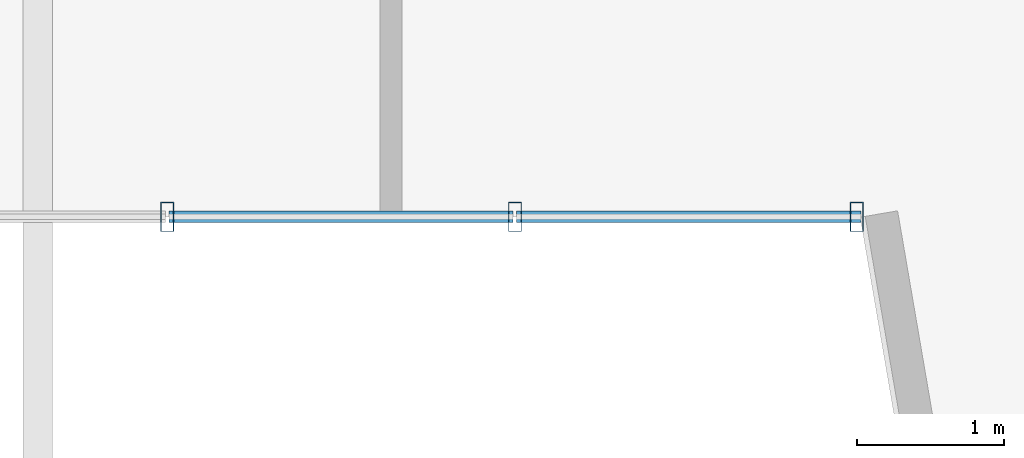
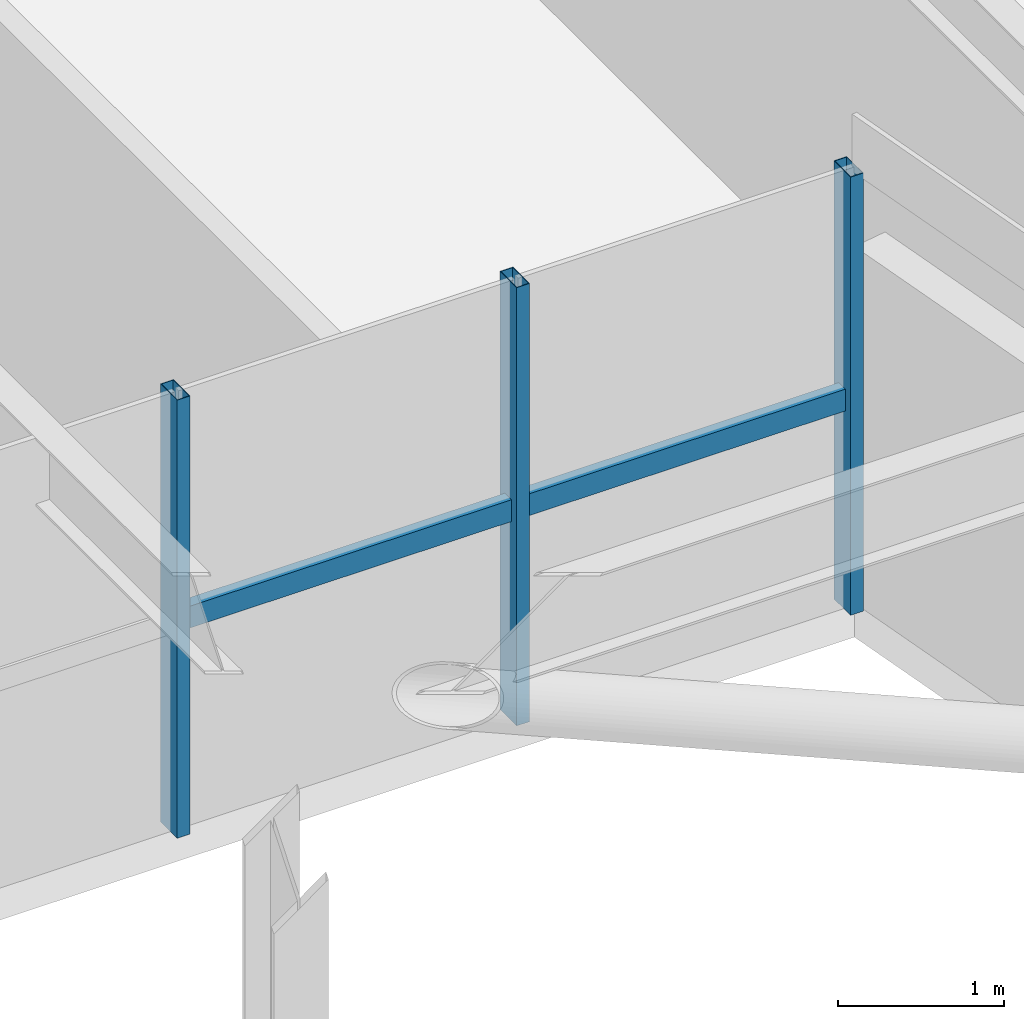
# One storey, part 5 of 24: 5 members, 1 element without a shape of its own.
"""IFC4 building model written with IfcOpenShell, lengths in metres."""

from ifc_helpers import new_model, si_unit, direction, frame, origin, origin_2d, place, context, subcontext, project, spatial, hollow_rectangle, extrude, source, transform, mapped, material, material_profile, profile_set, type_object, element, aggregate, save


model = new_model("IFC4")

# Units and contexts
model_context = context("Model", 3, precision=1e-05, world=origin(), true_north=direction((0.0, 1.0)))
body_context = subcontext(model_context, "Body", "Model", "MODEL_VIEW")
ifc_project = project(units=[si_unit("LENGTHUNIT", "METRE"), si_unit("AREAUNIT", "SQUARE_METRE"), si_unit("VOLUMEUNIT", "CUBIC_METRE"), si_unit("PLANEANGLEUNIT", "RADIAN"), si_unit("MASSUNIT", "GRAM", prefix="KILO")], contexts=[model_context])

# Site, building, storey
site_placement = place(None, origin())
site = spatial("IfcSite", under=ifc_project, at=site_placement, CompositionType="ELEMENT")
building_placement = place(site_placement, origin())
building = spatial("IfcBuilding", under=site, at=building_placement, Name="Trelvane Seafront Commons", CompositionType="ELEMENT")
storey_placement = place(building_placement, frame((0.0, 0.0, 178.89990234375)))
storey = spatial("IfcBuildingStorey", under=building, at=storey_placement, Name="L47", CompositionType="ELEMENT", Elevation=178.89990234375)

# Curtain wall, members
ifc_material = material(Name="Anodised pale-silver aluminium", Category="aluminium")
curtain_wall_type = type_object("IfcCurtainWallType", Name="ARCH-CW3-PORTAL", PredefinedType="NOTDEFINED", material=ifc_material)
curtain_wall_placement = place(storey_placement, origin())
curtain_wall = element("IfcCurtainWall", 1, at=curtain_wall_placement, inside=storey, type_object=curtain_wall_type, Name="CW-L47-VN-0076", PredefinedType="NOTDEFINED")
ifc_material_profile_1 = material_profile(ifc_material, hollow_rectangle(XDim=0.080078125, YDim=0.159912109375, WallThickness=0.00439453125, at=origin_2d()), Name="TRAN-80x160x4.5")
ifc_profile_set_1 = profile_set([ifc_material_profile_1], Name="Anodised pale-silver aluminium")
member_type_1 = type_object("IfcMemberType", Name="ARCH-CW-TRAN-160", PredefinedType="USERDEFINED", material=ifc_profile_set_1)
shared_shape_1 = source(origin(), body_context, "Body", "SweptSolid", [
    extrude(hollow_rectangle(XDim=0.080078125, YDim=0.159912109375, WallThickness=0.00439453125, at=origin_2d()), origin(), (0.0, 0.0, 1.0), 2.3359375),
])
member_1_placement = place(storey_placement, frame((28.988037109375, 6.800048828125, 1.546142578125), z_axis=(-1.0, 0.0, 0.0), x_axis=(0.0, -1.0, 0.0)))
member_1 = element("IfcMember", 2, at=member_1_placement, type_object=member_type_1, Name="CW-L47-VN-0076-T00", ObjectType="TRANSOM", PredefinedType="USERDEFINED", context=body_context, shape_type="MappedRepresentation", body=[
    mapped(shared_shape_1, transform((0.0, 0.0, 0.0), x_axis=(1.0, 0.0, 0.0), y_axis=(0.0, 1.0, 0.0), z_axis=(0.0, 0.0, 1.0), scale=1.0)),
])
member_2_placement = place(storey_placement, frame((26.6279296875, 6.800048828125, 1.546142578125), z_axis=(-1.0, 0.0, 0.0), x_axis=(0.0, -1.0, 0.0)))
member_2 = element("IfcMember", 3, at=member_2_placement, type_object=member_type_1, Name="CW-L47-VN-0076-T01", ObjectType="TRANSOM", PredefinedType="USERDEFINED", context=body_context, shape_type="MappedRepresentation", body=[
    mapped(shared_shape_1, transform((0.0, 0.0, 0.0), x_axis=(1.0, 0.0, 0.0), y_axis=(0.0, 1.0, 0.0), z_axis=(0.0, 0.0, 1.0), scale=1.0)),
])
ifc_material_profile_2 = material_profile(ifc_material, hollow_rectangle(XDim=0.090087890625, YDim=0.199951171875, WallThickness=0.0048828125, at=origin_2d()), Name="MULL-90x200x5")
ifc_profile_set_2 = profile_set([ifc_material_profile_2], Name="Anodised pale-silver aluminium")
member_type_2 = type_object("IfcMemberType", Name="ARCH-CW-MULL-200", PredefinedType="MULLION", material=ifc_profile_set_2)
shared_shape_2 = source(origin(), body_context, "Body", "SweptSolid", [
    extrude(hollow_rectangle(XDim=0.090087890625, YDim=0.199951171875, WallThickness=0.0048828125, at=origin_2d()), origin(), (0.0, 0.0, 1.0), 3.22021484375),
])
member_3_placement = place(storey_placement, frame((28.9599609375, 6.800048828125, 0.0), z_axis=(0.0, 0.0, 1.0), x_axis=(1.0, 0.0, 0.0)))
member_3 = element("IfcMember", 4, at=member_3_placement, type_object=member_type_2, Name="CW-L47-VN-0076-M00", PredefinedType="MULLION", context=body_context, shape_type="MappedRepresentation", body=[
    mapped(shared_shape_2, transform((0.0, 0.0, 0.0), x_axis=(1.0, 0.0, 0.0), y_axis=(0.0, 1.0, 0.0), z_axis=(0.0, 0.0, 1.0), scale=1.0)),
])
member_4_placement = place(storey_placement, frame((26.639892578125, 6.800048828125, 0.0), z_axis=(0.0, 0.0, 1.0), x_axis=(1.0, 0.0, 0.0)))
member_4 = element("IfcMember", 5, at=member_4_placement, type_object=member_type_2, Name="CW-L47-VN-0076-M01", PredefinedType="MULLION", context=body_context, shape_type="MappedRepresentation", body=[
    mapped(shared_shape_2, transform((0.0, 0.0, 0.0), x_axis=(1.0, 0.0, 0.0), y_axis=(0.0, 1.0, 0.0), z_axis=(0.0, 0.0, 1.0), scale=1.0)),
])
member_5_placement = place(storey_placement, frame((24.280029296875, 6.800048828125, 0.0), z_axis=(0.0, 0.0, 1.0), x_axis=(1.0, 0.0, 0.0)))
member_5 = element("IfcMember", 6, at=member_5_placement, type_object=member_type_2, Name="CW-L47-VN-0076-M02", PredefinedType="MULLION", context=body_context, shape_type="MappedRepresentation", body=[
    mapped(shared_shape_2, transform((0.0, 0.0, 0.0), x_axis=(1.0, 0.0, 0.0), y_axis=(0.0, 1.0, 0.0), z_axis=(0.0, 0.0, 1.0), scale=1.0)),
])
aggregate(curtain_wall, [member_3, member_4, member_5, member_1, member_2])

save(model, "model.ifc")
